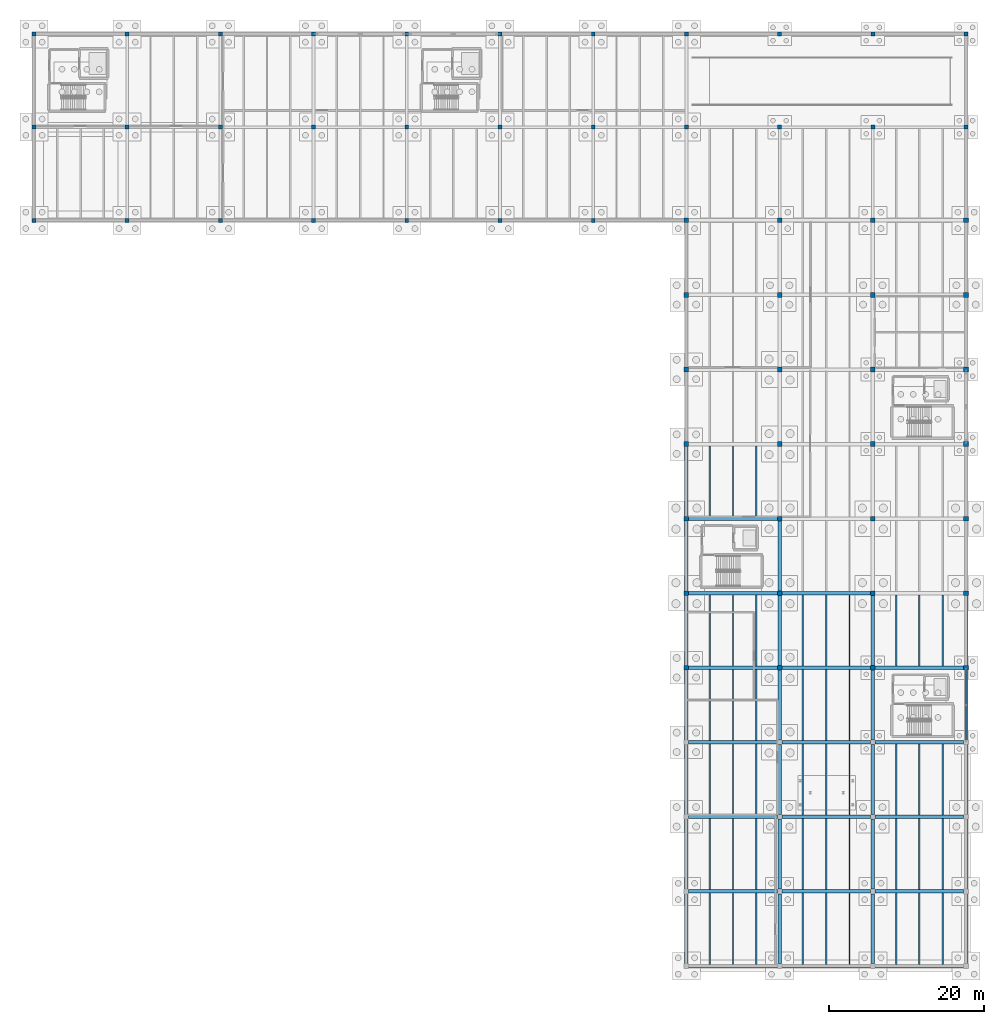
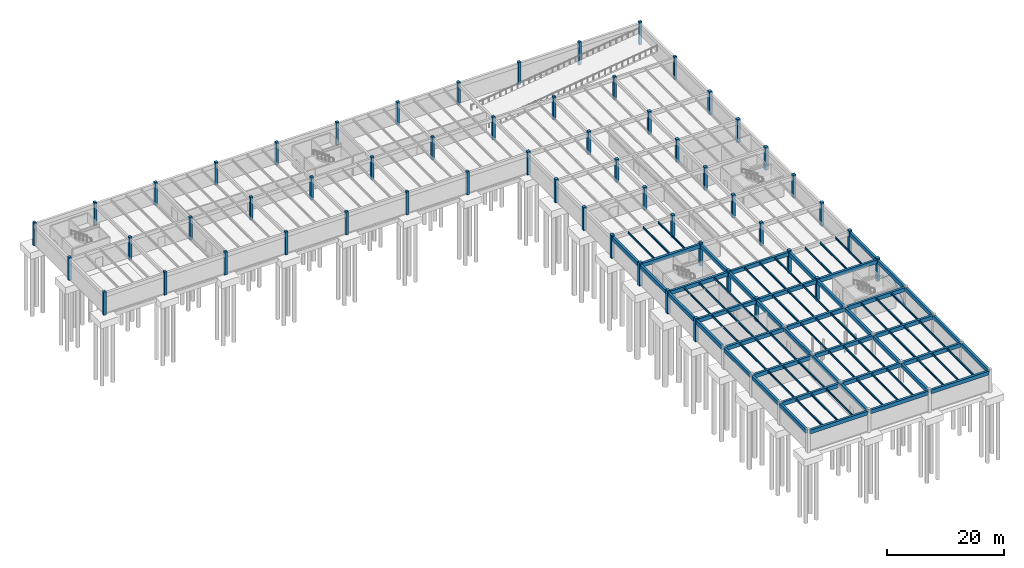
# One storey, part 5 of 20: 86 beams, 57 columns, 2 members.
"""IFC4 building model written with IfcOpenShell, lengths in metres."""

from ifc_helpers import new_model, si_unit, direction, frame, origin, origin_2d, place, context, subcontext, project, spatial, rectangle, hollow_rectangle, i_section, extrude, material, material_profile, profile_set, type_object, element, save


model = new_model("IFC4")

# Units and contexts
model_context = context("Model", 3, precision=1e-05, world=origin(), true_north=direction((0.0, 1.0)))
body_context = subcontext(model_context, "Body", "Model", "MODEL_VIEW")
ifc_project = project(units=[si_unit("LENGTHUNIT", "METRE"), si_unit("AREAUNIT", "SQUARE_METRE"), si_unit("VOLUMEUNIT", "CUBIC_METRE"), si_unit("PLANEANGLEUNIT", "RADIAN"), si_unit("MASSUNIT", "GRAM", prefix="KILO")], contexts=[model_context])

# Site, building, storey
site_placement = place(None, origin())
site = spatial("IfcSite", under=ifc_project, at=site_placement, CompositionType="ELEMENT")
building_placement = place(site_placement, origin())
building = spatial("IfcBuilding", under=site, at=building_placement, Name="Pandanus Reach Market Hall", CompositionType="ELEMENT")
storey_placement = place(building_placement, frame((0.0, 0.0, -4.5)))
storey = spatial("IfcBuildingStorey", under=building, at=storey_placement, Name="B1", CompositionType="ELEMENT", Elevation=-4.5)

# Columns
ifc_material_1 = material(Name="Concrete N40 (40 MPa)", Category="concrete")
ifc_material_profile_1 = material_profile(ifc_material_1, rectangle(XDim=0.5, YDim=0.5, at=origin_2d()), Name="RC500x500", Category="LoadBearing")
ifc_profile_set_1 = profile_set([ifc_material_profile_1], Name="Concrete N40 (40 MPa)")
column_type_1 = type_object("IfcColumnType", Name="CL-RC500-E", PredefinedType="COLUMN", material=ifc_profile_set_1)
for number, where, z_axis, x_axis, name in (
    (1, (60.0, 96.0, -0.35009765625), (0.0, 0.0, 1.0), (1.0, 0.0, 0.0), "Column CL-RC500-E V5-60-960 B1"),
    (2, (60.0, 108.0, -0.35009765625), (0.0, 0.0, 1.0), (1.0, 0.0, 0.0), "Column CL-RC500-E V5-60-1080 B1"),
    (3, (60.0, 120.0, -0.35009765625), (0.0, 0.0, 1.0), (1.0, 0.0, 0.0), "Column CL-RC500-E V5-60-1200 B1"),
    (4, (72.0, 96.0, -0.35009765625), (0.0, 0.0, 1.0), (1.0, 0.0, 0.0), "Column CL-RC500-E V5-72-960 B1"),
    (5, (72.0, 120.0, -0.35009765625), (0.0, 0.0, 1.0), (1.0, 0.0, 0.0), "Column CL-RC500-E V5-72-1200 B1"),
    (6, (84.0, 96.0, -0.35009765625), (0.0, 0.0, 1.0), (1.0, 0.0, 0.0), "Column CL-RC500-E V5-84-960 B1"),
    (7, (84.0, 120.0, -0.35009765625), (0.0, 0.0, 1.0), (1.0, 0.0, 0.0), "Column CL-RC500-E V5-84-1200 B1"),
    (8, (96.0, 96.0, -0.35009765625), (0.0, 0.0, 1.0), (1.0, 0.0, 0.0), "Column CL-RC500-E V5-96-960 B1"),
    (9, (96.0, 120.0, -0.35009765625), (0.0, 0.0, 1.0), (1.0, 0.0, 0.0), "Column CL-RC500-E V5-96-1200 B1"),
    (10, (108.0, 96.0, -0.35009765625), (0.0, 0.0, 1.0), (1.0, 0.0, 0.0), "Column CL-RC500-E V5-108-960 B1"),
    (11, (108.0, 120.0, -0.35009765625), (0.0, 0.0, 1.0), (1.0, 0.0, 0.0), "Column CL-RC500-E V5-108-1200 B1"),
    (12, (120.0, 96.0, -0.35009765625), (0.0, 0.0, 1.0), (1.0, 0.0, 0.0), "Column CL-RC500-E V5-120-960 B1"),
    (13, (120.0, 120.0, -0.35009765625), (0.0, 0.0, 1.0), (1.0, 0.0, 0.0), "Column CL-RC500-E V5-120-1200 B1"),
    (14, (132.0, 96.0, -0.35009765625), (0.0, 0.0, 1.0), (1.0, 0.0, 0.0), "Column CL-RC500-E V5-132-960 B1"),
    (15, (132.0, 120.0, -0.35009765625), (0.0, 0.0, 1.0), (1.0, 0.0, 0.0), "Column CL-RC500-E V5-132-1200 B1"),
    (16, (144.0, 120.0, -0.35009765625), (0.0, 0.0, 1.0), (1.0, 0.0, 0.0), "Column CL-RC500-E V5-144-1200 B1"),
    (17, (156.0, 120.0, -0.35009765625), (0.0, 0.0, 1.0), (1.0, 0.0, 0.0), "Column CL-RC500-E V5-156-1200 B1"),
    (18, (168.0, 120.0, -0.35009765625), (0.0, 0.0, 1.0), (1.0, 0.0, 0.0), "Column CL-RC500-E V5-168-1200 B1"),
    (19, (180.0, 108.0, -0.35009765625), (0.0, 0.0, 1.0), (1.0, 0.0, 0.0), "Column CL-RC500-E V5-180-1080 B1"),
    (20, (180.0, 120.0, -0.35009765625), (0.0, 0.0, 1.0), (1.0, 0.0, 0.0), "Column CL-RC500-E V5-180-1200 B1"),
):
    element("IfcColumn", number, at=place(storey_placement, frame(where, z_axis=z_axis, x_axis=x_axis)), inside=storey, type_object=column_type_1, Name=name, PredefinedType="COLUMN", context=body_context, shape_type="SweptSolid", body=[
        extrude(rectangle(XDim=0.5, YDim=0.5, at=origin_2d()), origin(), (0.0, 0.0, 1.0), 4.85009765625),
    ])
ifc_material_profile_2 = material_profile(ifc_material_1, rectangle(XDim=0.5, YDim=0.5, at=origin_2d()), Name="RC500x500", Category="LoadBearing")
ifc_profile_set_2 = profile_set([ifc_material_profile_2], Name="Concrete N40 (40 MPa)")
column_type_2 = type_object("IfcColumnType", Name="CL-RC500-I", PredefinedType="COLUMN", material=ifc_profile_set_2)
for number, where, z_axis, x_axis, name in (
    (21, (72.0, 108.0, -0.35009765625), (0.0, 0.0, 1.0), (1.0, 0.0, 0.0), "Column CL-RC500-I V5-72-1080 B1"),
    (22, (84.0, 108.0, -0.35009765625), (0.0, 0.0, 1.0), (1.0, 0.0, 0.0), "Column CL-RC500-I V5-84-1080 B1"),
    (23, (96.0, 108.0, -0.35009765625), (0.0, 0.0, 1.0), (1.0, 0.0, 0.0), "Column CL-RC500-I V5-96-1080 B1"),
    (24, (108.0, 108.0, -0.35009765625), (0.0, 0.0, 1.0), (1.0, 0.0, 0.0), "Column CL-RC500-I V5-108-1080 B1"),
    (25, (120.0, 108.0, -0.35009765625), (0.0, 0.0, 1.0), (1.0, 0.0, 0.0), "Column CL-RC500-I V5-120-1080 B1"),
    (26, (132.0, 108.0, -0.35009765625), (0.0, 0.0, 1.0), (1.0, 0.0, 0.0), "Column CL-RC500-I V5-132-1080 B1"),
    (27, (144.0, 108.0, -0.35009765625), (0.0, 0.0, 1.0), (1.0, 0.0, 0.0), "Column CL-RC500-I V5-144-1080 B1"),
    (28, (156.0, 108.0, -0.35009765625), (0.0, 0.0, 1.0), (1.0, 0.0, 0.0), "Column CL-RC500-I V5-156-1080 B1"),
    (29, (168.0, 108.0, -0.35009765625), (0.0, 0.0, 1.0), (1.0, 0.0, 0.0), "Column CL-RC500-I V5-168-1080 B1"),
):
    element("IfcColumn", number, at=place(storey_placement, frame(where, z_axis=z_axis, x_axis=x_axis)), inside=storey, type_object=column_type_2, Name=name, PredefinedType="COLUMN", context=body_context, shape_type="SweptSolid", body=[
        extrude(rectangle(XDim=0.5, YDim=0.5, at=origin_2d()), origin(), (0.0, 0.0, 1.0), 4.85009765625),
    ])
ifc_material_profile_3 = material_profile(ifc_material_1, rectangle(XDim=0.60009765625, YDim=0.60009765625, at=origin_2d()), Name="RC600x600", Category="LoadBearing")
ifc_profile_set_3 = profile_set([ifc_material_profile_3], Name="Concrete N40 (40 MPa)")
column_type_3 = type_object("IfcColumnType", Name="CL-RC600-E", PredefinedType="COLUMN", material=ifc_profile_set_3)
for number, where, z_axis, x_axis, name in (
    (30, (144.0, 38.39990234375, -0.35009765625), (0.0, 0.0, 1.0), (1.0, 0.0, 0.0), "Column CL-RC600-E V4-144-384 B1"),
    (31, (144.0, 48.0, -0.35009765625), (0.0, 0.0, 1.0), (1.0, 0.0, 0.0), "Column CL-RC600-E V4-144-480 B1"),
    (32, (144.0, 57.60009765625, -0.35009765625), (0.0, 0.0, 1.0), (1.0, 0.0, 0.0), "Column CL-RC600-E V4-144-576 B1"),
    (33, (144.0, 67.199951171875, -0.35009765625), (0.0, 0.0, 1.0), (1.0, 0.0, 0.0), "Column CL-RC600-E V4-144-672 B1"),
    (34, (144.0, 76.800048828125, -0.35009765625), (0.0, 0.0, 1.0), (1.0, 0.0, 0.0), "Column CL-RC600-E V4-144-768 B1"),
    (35, (144.0, 86.39990234375, -0.35009765625), (0.0, 0.0, 1.0), (1.0, 0.0, 0.0), "Column CL-RC600-E V4-144-864 B1"),
    (36, (144.0, 96.0, -0.35009765625), (0.0, 0.0, 1.0), (1.0, 0.0, 0.0), "Column CL-RC600-E V4-144-960 B1"),
    (37, (156.0, 96.0, -0.35009765625), (0.0, 0.0, 1.0), (1.0, 0.0, 0.0), "Column CL-RC600-E V4-156-960 B1"),
    (38, (168.0, 96.0, -0.35009765625), (0.0, 0.0, 1.0), (1.0, 0.0, 0.0), "Column CL-RC600-E V4-168-960 B1"),
    (39, (180.0, 38.39990234375, -0.35009765625), (0.0, 0.0, 1.0), (1.0, 0.0, 0.0), "Column CL-RC600-E V4-180-384 B1"),
    (40, (180.0, 48.0, -0.35009765625), (0.0, 0.0, 1.0), (1.0, 0.0, 0.0), "Column CL-RC600-E V4-180-480 B1"),
    (41, (180.0, 57.60009765625, -0.35009765625), (0.0, 0.0, 1.0), (1.0, 0.0, 0.0), "Column CL-RC600-E V4-180-576 B1"),
    (42, (180.0, 67.199951171875, -0.35009765625), (0.0, 0.0, 1.0), (1.0, 0.0, 0.0), "Column CL-RC600-E V4-180-672 B1"),
    (43, (180.0, 76.800048828125, -0.35009765625), (0.0, 0.0, 1.0), (1.0, 0.0, 0.0), "Column CL-RC600-E V4-180-768 B1"),
    (44, (180.0, 86.39990234375, -0.35009765625), (0.0, 0.0, 1.0), (1.0, 0.0, 0.0), "Column CL-RC600-E V4-180-864 B1"),
    (45, (180.0, 96.0, -0.35009765625), (0.0, 0.0, 1.0), (1.0, 0.0, 0.0), "Column CL-RC600-E V4-180-960 B1"),
):
    element("IfcColumn", number, at=place(storey_placement, frame(where, z_axis=z_axis, x_axis=x_axis)), inside=storey, type_object=column_type_3, Name=name, PredefinedType="COLUMN", context=body_context, shape_type="SweptSolid", body=[
        extrude(rectangle(XDim=0.60009765625, YDim=0.60009765625, at=origin_2d()), origin(), (0.0, 0.0, 1.0), 4.85009765625),
    ])
ifc_material_profile_4 = material_profile(ifc_material_1, rectangle(XDim=0.60009765625, YDim=0.60009765625, at=origin_2d()), Name="RC600x600", Category="LoadBearing")
ifc_profile_set_4 = profile_set([ifc_material_profile_4], Name="Concrete N40 (40 MPa)")
column_type_4 = type_object("IfcColumnType", Name="CL-RC600-I", PredefinedType="COLUMN", material=ifc_profile_set_4)
for number, where, z_axis, x_axis, name in (
    (46, (156.0, 38.39990234375, -0.35009765625), (0.0, 0.0, 1.0), (1.0, 0.0, 0.0), "Column CL-RC600-I V4-156-384 B1"),
    (47, (156.0, 48.0, -0.35009765625), (0.0, 0.0, 1.0), (1.0, 0.0, 0.0), "Column CL-RC600-I V4-156-480 B1"),
    (48, (156.0, 57.60009765625, -0.35009765625), (0.0, 0.0, 1.0), (1.0, 0.0, 0.0), "Column CL-RC600-I V4-156-576 B1"),
    (49, (156.0, 67.199951171875, -0.35009765625), (0.0, 0.0, 1.0), (1.0, 0.0, 0.0), "Column CL-RC600-I V4-156-672 B1"),
    (50, (156.0, 76.800048828125, -0.35009765625), (0.0, 0.0, 1.0), (1.0, 0.0, 0.0), "Column CL-RC600-I V4-156-768 B1"),
    (51, (156.0, 86.39990234375, -0.35009765625), (0.0, 0.0, 1.0), (1.0, 0.0, 0.0), "Column CL-RC600-I V4-156-864 B1"),
    (52, (168.0, 38.39990234375, -0.35009765625), (0.0, 0.0, 1.0), (1.0, 0.0, 0.0), "Column CL-RC600-I V4-168-384 B1"),
    (53, (168.0, 48.0, -0.35009765625), (0.0, 0.0, 1.0), (1.0, 0.0, 0.0), "Column CL-RC600-I V4-168-480 B1"),
    (54, (168.0, 57.60009765625, -0.35009765625), (0.0, 0.0, 1.0), (1.0, 0.0, 0.0), "Column CL-RC600-I V4-168-576 B1"),
    (55, (168.0, 67.199951171875, -0.35009765625), (0.0, 0.0, 1.0), (1.0, 0.0, 0.0), "Column CL-RC600-I V4-168-672 B1"),
    (56, (168.0, 76.800048828125, -0.35009765625), (0.0, 0.0, 1.0), (1.0, 0.0, 0.0), "Column CL-RC600-I V4-168-768 B1"),
    (57, (168.0, 86.39990234375, -0.35009765625), (0.0, 0.0, 1.0), (1.0, 0.0, 0.0), "Column CL-RC600-I V4-168-864 B1"),
):
    element("IfcColumn", number, at=place(storey_placement, frame(where, z_axis=z_axis, x_axis=x_axis)), inside=storey, type_object=column_type_4, Name=name, PredefinedType="COLUMN", context=body_context, shape_type="SweptSolid", body=[
        extrude(rectangle(XDim=0.60009765625, YDim=0.60009765625, at=origin_2d()), origin(), (0.0, 0.0, 1.0), 4.85009765625),
    ])

# Beams
ifc_material_profile_5 = material_profile(ifc_material_1, rectangle(XDim=0.449951171875, YDim=0.800048828125, at=origin_2d()), Name="RC450x800", Category="LoadBearing")
ifc_profile_set_5 = profile_set([ifc_material_profile_5], Name="Concrete N40 (40 MPa)")
beam_type_1 = type_object("IfcBeamType", Name="BM-RC450-E", PredefinedType="SPANDREL", material=ifc_profile_set_5)
for number, where, z_axis, x_axis, name in (
    (58, (144.298095703125, 0.0, 3.794921875), (1.0, 0.0, 0.0), (0.0, 1.0, 0.0), "Framing beam BM-RC450-E B1.1"),
    (59, (156.298095703125, 0.0, 3.794921875), (1.0, 0.0, 0.0), (0.0, 1.0, 0.0), "Framing beam BM-RC450-E B1.2"),
    (60, (168.298095703125, 0.0, 3.794921875), (1.0, 0.0, 0.0), (0.0, 1.0, 0.0), "Framing beam BM-RC450-E B1.3"),
):
    element("IfcBeam", number, at=place(storey_placement, frame(where, z_axis=z_axis, x_axis=x_axis)), inside=storey, type_object=beam_type_1, Name=name, PredefinedType="SPANDREL", context=body_context, shape_type="SweptSolid", body=[
        extrude(rectangle(XDim=0.449951171875, YDim=0.800048828125, at=origin_2d()), origin(), (0.0, 0.0, 1.0), 11.40380859375),
    ])
beam_1_placement = place(storey_placement, frame((144.0, 0.298095703125, 3.794921875), z_axis=(0.0, 1.0, 0.0), x_axis=(-1.0, 0.0, 0.0)))
element("IfcBeam", 61, at=beam_1_placement, inside=storey, type_object=beam_type_1, Name="Framing beam BM-RC450-E B1.34", PredefinedType="SPANDREL", context=body_context, shape_type="SweptSolid", body=[
    extrude(rectangle(XDim=0.449951171875, YDim=0.800048828125, at=origin_2d()), origin(), (0.0, 0.0, 1.0), 9.00390625),
])
beam_2_placement = place(storey_placement, frame((144.0, 9.89794921875, 3.794921875), z_axis=(0.0, 1.0, 0.0), x_axis=(-1.0, 0.0, 0.0)))
element("IfcBeam", 62, at=beam_2_placement, inside=storey, type_object=beam_type_1, Name="Framing beam BM-RC450-E B1.35", PredefinedType="SPANDREL", context=body_context, shape_type="SweptSolid", body=[
    extrude(rectangle(XDim=0.449951171875, YDim=0.800048828125, at=origin_2d()), origin(), (0.0, 0.0, 1.0), 9.004150390625),
])
beam_3_placement = place(storey_placement, frame((144.0, 19.498046875, 3.794921875), z_axis=(0.0, 1.0, 0.0), x_axis=(-1.0, 0.0, 0.0)))
element("IfcBeam", 63, at=beam_3_placement, inside=storey, type_object=beam_type_1, Name="Framing beam BM-RC450-E B1.36", PredefinedType="SPANDREL", context=body_context, shape_type="SweptSolid", body=[
    extrude(rectangle(XDim=0.449951171875, YDim=0.800048828125, at=origin_2d()), origin(), (0.0, 0.0, 1.0), 9.00390625),
])
beam_4_placement = place(storey_placement, frame((144.0, 29.097900390625, 3.794921875), z_axis=(0.0, 1.0, 0.0), x_axis=(-1.0, 0.0, 0.0)))
element("IfcBeam", 64, at=beam_4_placement, inside=storey, type_object=beam_type_1, Name="Framing beam BM-RC450-E B1.37", PredefinedType="SPANDREL", context=body_context, shape_type="SweptSolid", body=[
    extrude(rectangle(XDim=0.449951171875, YDim=0.800048828125, at=origin_2d()), origin(), (0.0, 0.0, 1.0), 9.004150390625),
])
for number, where, z_axis, x_axis, name in (
    (65, (144.0, 38.697998046875, 3.794921875), (0.0, 1.0, 0.0), (-1.0, 0.0, 0.0), "Framing beam BM-RC450-E B1.38"),
    (66, (144.0, 48.298095703125, 3.794921875), (0.0, 1.0, 0.0), (-1.0, 0.0, 0.0), "Framing beam BM-RC450-E B1.39"),
):
    element("IfcBeam", number, at=place(storey_placement, frame(where, z_axis=z_axis, x_axis=x_axis)), inside=storey, type_object=beam_type_1, Name=name, PredefinedType="SPANDREL", context=body_context, shape_type="SweptSolid", body=[
        extrude(rectangle(XDim=0.449951171875, YDim=0.800048828125, at=origin_2d()), origin(), (0.0, 0.0, 1.0), 9.00390625),
    ])
beam_5_placement = place(storey_placement, frame((144.0, 57.89794921875, 3.794921875), z_axis=(0.0, 1.0, 0.0), x_axis=(-1.0, 0.0, 0.0)))
element("IfcBeam", 67, at=beam_5_placement, inside=storey, type_object=beam_type_1, Name="Framing beam BM-RC450-E B1.40", PredefinedType="SPANDREL", context=body_context, shape_type="SweptSolid", body=[
    extrude(rectangle(XDim=0.449951171875, YDim=0.800048828125, at=origin_2d()), origin(), (0.0, 0.0, 1.0), 9.004150390625),
])
beam_6_placement = place(storey_placement, frame((180.0, 0.298095703125, 3.794921875), z_axis=(0.0, 1.0, 0.0), x_axis=(-1.0, 0.0, 0.0)))
element("IfcBeam", 68, at=beam_6_placement, inside=storey, type_object=beam_type_1, Name="Framing beam BM-RC450-E B1.64", PredefinedType="SPANDREL", context=body_context, shape_type="SweptSolid", body=[
    extrude(rectangle(XDim=0.449951171875, YDim=0.800048828125, at=origin_2d()), origin(), (0.0, 0.0, 1.0), 9.00390625),
])
beam_7_placement = place(storey_placement, frame((180.0, 9.89794921875, 3.794921875), z_axis=(0.0, 1.0, 0.0), x_axis=(-1.0, 0.0, 0.0)))
element("IfcBeam", 69, at=beam_7_placement, inside=storey, type_object=beam_type_1, Name="Framing beam BM-RC450-E B1.65", PredefinedType="SPANDREL", context=body_context, shape_type="SweptSolid", body=[
    extrude(rectangle(XDim=0.449951171875, YDim=0.800048828125, at=origin_2d()), origin(), (0.0, 0.0, 1.0), 9.004150390625),
])
beam_8_placement = place(storey_placement, frame((180.0, 19.498046875, 3.794921875), z_axis=(0.0, 1.0, 0.0), x_axis=(-1.0, 0.0, 0.0)))
element("IfcBeam", 70, at=beam_8_placement, inside=storey, type_object=beam_type_1, Name="Framing beam BM-RC450-E B1.66", PredefinedType="SPANDREL", context=body_context, shape_type="SweptSolid", body=[
    extrude(rectangle(XDim=0.449951171875, YDim=0.800048828125, at=origin_2d()), origin(), (0.0, 0.0, 1.0), 9.00390625),
])
beam_9_placement = place(storey_placement, frame((180.0, 29.097900390625, 3.794921875), z_axis=(0.0, 1.0, 0.0), x_axis=(-1.0, 0.0, 0.0)))
element("IfcBeam", 71, at=beam_9_placement, inside=storey, type_object=beam_type_1, Name="Framing beam BM-RC450-E B1.67", PredefinedType="SPANDREL", context=body_context, shape_type="SweptSolid", body=[
    extrude(rectangle(XDim=0.449951171875, YDim=0.800048828125, at=origin_2d()), origin(), (0.0, 0.0, 1.0), 9.004150390625),
])
beam_10_placement = place(storey_placement, frame((180.0, 38.697998046875, 3.794921875), z_axis=(0.0, 1.0, 0.0), x_axis=(-1.0, 0.0, 0.0)))
element("IfcBeam", 72, at=beam_10_placement, inside=storey, type_object=beam_type_1, Name="Framing beam BM-RC450-E B1.68", PredefinedType="SPANDREL", context=body_context, shape_type="SweptSolid", body=[
    extrude(rectangle(XDim=0.449951171875, YDim=0.800048828125, at=origin_2d()), origin(), (0.0, 0.0, 1.0), 9.00390625),
])
ifc_material_profile_6 = material_profile(ifc_material_1, rectangle(XDim=0.449951171875, YDim=0.800048828125, at=origin_2d()), Name="RC450x800", Category="LoadBearing")
ifc_profile_set_6 = profile_set([ifc_material_profile_6], Name="Concrete N40 (40 MPa)")
beam_type_2 = type_object("IfcBeamType", Name="BM-RC450-I", PredefinedType="BEAM", material=ifc_profile_set_6)
for number, where, z_axis, x_axis, name in (
    (73, (144.298095703125, 9.60009765625, 3.794921875), (1.0, 0.0, 0.0), (0.0, 1.0, 0.0), "Framing beam BM-RC450-I B1.4"),
    (74, (156.298095703125, 9.60009765625, 3.794921875), (1.0, 0.0, 0.0), (0.0, 1.0, 0.0), "Framing beam BM-RC450-I B1.5"),
    (75, (168.298095703125, 9.60009765625, 3.794921875), (1.0, 0.0, 0.0), (0.0, 1.0, 0.0), "Framing beam BM-RC450-I B1.6"),
    (76, (144.298095703125, 19.199951171875, 3.794921875), (1.0, 0.0, 0.0), (0.0, 1.0, 0.0), "Framing beam BM-RC450-I B1.7"),
    (77, (156.298095703125, 19.199951171875, 3.794921875), (1.0, 0.0, 0.0), (0.0, 1.0, 0.0), "Framing beam BM-RC450-I B1.8"),
    (78, (168.298095703125, 19.199951171875, 3.794921875), (1.0, 0.0, 0.0), (0.0, 1.0, 0.0), "Framing beam BM-RC450-I B1.9"),
    (79, (144.298095703125, 28.800048828125, 3.794921875), (1.0, 0.0, 0.0), (0.0, 1.0, 0.0), "Framing beam BM-RC450-I B1.10"),
    (80, (156.298095703125, 28.800048828125, 3.794921875), (1.0, 0.0, 0.0), (0.0, 1.0, 0.0), "Framing beam BM-RC450-I B1.11"),
    (81, (168.298095703125, 28.800048828125, 3.794921875), (1.0, 0.0, 0.0), (0.0, 1.0, 0.0), "Framing beam BM-RC450-I B1.12"),
    (82, (144.298095703125, 38.39990234375, 3.794921875), (1.0, 0.0, 0.0), (0.0, 1.0, 0.0), "Framing beam BM-RC450-I B1.13"),
    (83, (156.298095703125, 38.39990234375, 3.794921875), (1.0, 0.0, 0.0), (0.0, 1.0, 0.0), "Framing beam BM-RC450-I B1.14"),
    (84, (168.298095703125, 38.39990234375, 3.794921875), (1.0, 0.0, 0.0), (0.0, 1.0, 0.0), "Framing beam BM-RC450-I B1.15"),
    (85, (144.298095703125, 48.0, 3.794921875), (1.0, 0.0, 0.0), (0.0, 1.0, 0.0), "Framing beam BM-RC450-I B1.16"),
    (86, (156.298095703125, 48.0, 3.794921875), (1.0, 0.0, 0.0), (0.0, 1.0, 0.0), "Framing beam BM-RC450-I B1.17"),
    (87, (144.298095703125, 57.60009765625, 3.794921875), (1.0, 0.0, 0.0), (0.0, 1.0, 0.0), "Framing beam BM-RC450-I B1.19"),
):
    element("IfcBeam", number, at=place(storey_placement, frame(where, z_axis=z_axis, x_axis=x_axis)), inside=storey, type_object=beam_type_2, Name=name, PredefinedType="BEAM", context=body_context, shape_type="SweptSolid", body=[
        extrude(rectangle(XDim=0.449951171875, YDim=0.800048828125, at=origin_2d()), origin(), (0.0, 0.0, 1.0), 11.40380859375),
    ])
beam_11_placement = place(storey_placement, frame((156.0, 0.298095703125, 3.794921875), z_axis=(0.0, 1.0, 0.0), x_axis=(-1.0, 0.0, 0.0)))
element("IfcBeam", 88, at=beam_11_placement, inside=storey, type_object=beam_type_2, Name="Framing beam BM-RC450-I B1.44", PredefinedType="BEAM", context=body_context, shape_type="SweptSolid", body=[
    extrude(rectangle(XDim=0.449951171875, YDim=0.800048828125, at=origin_2d()), origin(), (0.0, 0.0, 1.0), 9.00390625),
])
beam_12_placement = place(storey_placement, frame((156.0, 9.89794921875, 3.794921875), z_axis=(0.0, 1.0, 0.0), x_axis=(-1.0, 0.0, 0.0)))
element("IfcBeam", 89, at=beam_12_placement, inside=storey, type_object=beam_type_2, Name="Framing beam BM-RC450-I B1.45", PredefinedType="BEAM", context=body_context, shape_type="SweptSolid", body=[
    extrude(rectangle(XDim=0.449951171875, YDim=0.800048828125, at=origin_2d()), origin(), (0.0, 0.0, 1.0), 9.004150390625),
])
beam_13_placement = place(storey_placement, frame((156.0, 19.498046875, 3.794921875), z_axis=(0.0, 1.0, 0.0), x_axis=(-1.0, 0.0, 0.0)))
element("IfcBeam", 90, at=beam_13_placement, inside=storey, type_object=beam_type_2, Name="Framing beam BM-RC450-I B1.46", PredefinedType="BEAM", context=body_context, shape_type="SweptSolid", body=[
    extrude(rectangle(XDim=0.449951171875, YDim=0.800048828125, at=origin_2d()), origin(), (0.0, 0.0, 1.0), 9.00390625),
])
beam_14_placement = place(storey_placement, frame((156.0, 29.097900390625, 3.794921875), z_axis=(0.0, 1.0, 0.0), x_axis=(-1.0, 0.0, 0.0)))
element("IfcBeam", 91, at=beam_14_placement, inside=storey, type_object=beam_type_2, Name="Framing beam BM-RC450-I B1.47", PredefinedType="BEAM", context=body_context, shape_type="SweptSolid", body=[
    extrude(rectangle(XDim=0.449951171875, YDim=0.800048828125, at=origin_2d()), origin(), (0.0, 0.0, 1.0), 9.004150390625),
])
for number, where, z_axis, x_axis, name in (
    (92, (156.0, 38.697998046875, 3.794921875), (0.0, 1.0, 0.0), (-1.0, 0.0, 0.0), "Framing beam BM-RC450-I B1.48"),
    (93, (156.0, 48.298095703125, 3.794921875), (0.0, 1.0, 0.0), (-1.0, 0.0, 0.0), "Framing beam BM-RC450-I B1.49"),
    (94, (168.0, 0.298095703125, 3.794921875), (0.0, 1.0, 0.0), (-1.0, 0.0, 0.0), "Framing beam BM-RC450-I B1.54"),
):
    element("IfcBeam", number, at=place(storey_placement, frame(where, z_axis=z_axis, x_axis=x_axis)), inside=storey, type_object=beam_type_2, Name=name, PredefinedType="BEAM", context=body_context, shape_type="SweptSolid", body=[
        extrude(rectangle(XDim=0.449951171875, YDim=0.800048828125, at=origin_2d()), origin(), (0.0, 0.0, 1.0), 9.00390625),
    ])
beam_15_placement = place(storey_placement, frame((168.0, 9.89794921875, 3.794921875), z_axis=(0.0, 1.0, 0.0), x_axis=(-1.0, 0.0, 0.0)))
element("IfcBeam", 95, at=beam_15_placement, inside=storey, type_object=beam_type_2, Name="Framing beam BM-RC450-I B1.55", PredefinedType="BEAM", context=body_context, shape_type="SweptSolid", body=[
    extrude(rectangle(XDim=0.449951171875, YDim=0.800048828125, at=origin_2d()), origin(), (0.0, 0.0, 1.0), 9.004150390625),
])
beam_16_placement = place(storey_placement, frame((168.0, 19.498046875, 3.794921875), z_axis=(0.0, 1.0, 0.0), x_axis=(-1.0, 0.0, 0.0)))
element("IfcBeam", 96, at=beam_16_placement, inside=storey, type_object=beam_type_2, Name="Framing beam BM-RC450-I B1.56", PredefinedType="BEAM", context=body_context, shape_type="SweptSolid", body=[
    extrude(rectangle(XDim=0.449951171875, YDim=0.800048828125, at=origin_2d()), origin(), (0.0, 0.0, 1.0), 9.00390625),
])
beam_17_placement = place(storey_placement, frame((168.0, 29.097900390625, 3.794921875), z_axis=(0.0, 1.0, 0.0), x_axis=(-1.0, 0.0, 0.0)))
element("IfcBeam", 97, at=beam_17_placement, inside=storey, type_object=beam_type_2, Name="Framing beam BM-RC450-I B1.57", PredefinedType="BEAM", context=body_context, shape_type="SweptSolid", body=[
    extrude(rectangle(XDim=0.449951171875, YDim=0.800048828125, at=origin_2d()), origin(), (0.0, 0.0, 1.0), 9.004150390625),
])
beam_18_placement = place(storey_placement, frame((168.0, 38.697998046875, 3.794921875), z_axis=(0.0, 1.0, 0.0), x_axis=(-1.0, 0.0, 0.0)))
element("IfcBeam", 98, at=beam_18_placement, inside=storey, type_object=beam_type_2, Name="Framing beam BM-RC450-I B1.58", PredefinedType="BEAM", context=body_context, shape_type="SweptSolid", body=[
    extrude(rectangle(XDim=0.449951171875, YDim=0.800048828125, at=origin_2d()), origin(), (0.0, 0.0, 1.0), 9.00390625),
])

# Members
ifc_material_2 = material(Name="Steel Grade 350 (350 MPa)", Category="steel")
ifc_material_profile_7 = material_profile(ifc_material_2, hollow_rectangle(XDim=0.199951171875, YDim=0.199951171875, WallThickness=0.009033203125, at=origin_2d()), Name="200x200x9.0SHS", Category="LoadBearing")
ifc_profile_set_7 = profile_set([ifc_material_profile_7], Name="Steel Grade 350 (350 MPa)")
member_type = type_object("IfcMemberType", Name="BR-SHS200-I", PredefinedType="BRACE", material=ifc_profile_set_7)
for number, where, z_axis, x_axis, name in (
    (99, (180.0, 29.090087890625, 0.10009765625), (0.0, 0.76677634942, 0.641914347846), (-1.0, 0.0, 0.0), "Chevron brace BR-SHS200-I 3A"),
    (100, (180.0, 38.110107421875, 0.10009765625), (0.0, -0.766794041081, 0.641893214299), (1.0, 0.0, 0.0), "Chevron brace BR-SHS200-I 3B"),
):
    element("IfcMember", number, at=place(storey_placement, frame(where, z_axis=z_axis, x_axis=x_axis)), inside=storey, type_object=member_type, Name=name, PredefinedType="BRACE", context=body_context, shape_type="SweptSolid", body=[
        extrude(hollow_rectangle(XDim=0.199951171875, YDim=0.199951171875, WallThickness=0.009033203125, at=origin_2d()), origin(), (0.0, 0.0, 1.0), 5.68603515625),
    ])

# Beams
ifc_material_profile_8 = material_profile(ifc_material_2, i_section(OverallWidth=0.177978515625, OverallDepth=0.406005859375, WebThickness=0.0078125, FlangeThickness=0.0126953125, at=origin_2d()), Name="410UB59.7", Category="LoadBearing")
ifc_profile_set_8 = profile_set([ifc_material_profile_8], Name="Steel Grade 350 (350 MPa)")
beam_type_3 = type_object("IfcBeamType", Name="JS-UB410-I", PredefinedType="JOIST", material=ifc_profile_set_8)
for number, where, z_axis, x_axis, name in (
    (101, (147.0, 0.222900390625, 3.99169921875), (0.0, 1.0, 0.0), (-1.0, 0.0, 0.0), "Secondary joist JS-UB410-I B1.74"),
    (102, (150.0, 0.222900390625, 3.99169921875), (0.0, 1.0, 0.0), (-1.0, 0.0, 0.0), "Secondary joist JS-UB410-I B1.75"),
    (103, (153.0, 0.222900390625, 3.99169921875), (0.0, 1.0, 0.0), (-1.0, 0.0, 0.0), "Secondary joist JS-UB410-I B1.76"),
    (104, (147.0, 9.822998046875, 3.99169921875), (0.0, 1.0, 0.0), (-1.0, 0.0, 0.0), "Secondary joist JS-UB410-I B1.77"),
    (105, (150.0, 9.822998046875, 3.99169921875), (0.0, 1.0, 0.0), (-1.0, 0.0, 0.0), "Secondary joist JS-UB410-I B1.78"),
    (106, (153.0, 9.822998046875, 3.99169921875), (0.0, 1.0, 0.0), (-1.0, 0.0, 0.0), "Secondary joist JS-UB410-I B1.79"),
):
    element("IfcBeam", number, at=place(storey_placement, frame(where, z_axis=z_axis, x_axis=x_axis)), inside=storey, type_object=beam_type_3, Name=name, PredefinedType="JOIST", context=body_context, shape_type="SweptSolid", body=[
        extrude(i_section(OverallWidth=0.177978515625, OverallDepth=0.406005859375, WebThickness=0.0078125, FlangeThickness=0.0126953125, at=origin_2d()), origin(), (0.0, 0.0, 1.0), 9.154052734375),
    ])
for number, where, z_axis, x_axis, name in (
    (107, (147.0, 19.423095703125, 3.99169921875), (0.0, 1.0, 0.0), (-1.0, 0.0, 0.0), "Secondary joist JS-UB410-I B1.80"),
    (108, (150.0, 19.423095703125, 3.99169921875), (0.0, 1.0, 0.0), (-1.0, 0.0, 0.0), "Secondary joist JS-UB410-I B1.81"),
    (109, (153.0, 19.423095703125, 3.99169921875), (0.0, 1.0, 0.0), (-1.0, 0.0, 0.0), "Secondary joist JS-UB410-I B1.82"),
):
    element("IfcBeam", number, at=place(storey_placement, frame(where, z_axis=z_axis, x_axis=x_axis)), inside=storey, type_object=beam_type_3, Name=name, PredefinedType="JOIST", context=body_context, shape_type="SweptSolid", body=[
        extrude(i_section(OverallWidth=0.177978515625, OverallDepth=0.406005859375, WebThickness=0.0078125, FlangeThickness=0.0126953125, at=origin_2d()), origin(), (0.0, 0.0, 1.0), 9.15380859375),
    ])
for number, where, z_axis, x_axis, name in (
    (110, (147.0, 29.02294921875, 3.99169921875), (0.0, 1.0, 0.0), (-1.0, 0.0, 0.0), "Secondary joist JS-UB410-I B1.83"),
    (111, (150.0, 29.02294921875, 3.99169921875), (0.0, 1.0, 0.0), (-1.0, 0.0, 0.0), "Secondary joist JS-UB410-I B1.84"),
    (112, (153.0, 29.02294921875, 3.99169921875), (0.0, 1.0, 0.0), (-1.0, 0.0, 0.0), "Secondary joist JS-UB410-I B1.85"),
    (113, (147.0, 38.623046875, 3.99169921875), (0.0, 1.0, 0.0), (-1.0, 0.0, 0.0), "Secondary joist JS-UB410-I B1.86"),
    (114, (150.0, 38.623046875, 3.99169921875), (0.0, 1.0, 0.0), (-1.0, 0.0, 0.0), "Secondary joist JS-UB410-I B1.87"),
    (115, (153.0, 38.623046875, 3.99169921875), (0.0, 1.0, 0.0), (-1.0, 0.0, 0.0), "Secondary joist JS-UB410-I B1.88"),
    (116, (147.0, 57.822998046875, 3.99169921875), (0.0, 1.0, 0.0), (-1.0, 0.0, 0.0), "Secondary joist JS-UB410-I B1.89"),
    (117, (150.0, 57.822998046875, 3.99169921875), (0.0, 1.0, 0.0), (-1.0, 0.0, 0.0), "Secondary joist JS-UB410-I B1.90"),
    (118, (153.0, 57.822998046875, 3.99169921875), (0.0, 1.0, 0.0), (-1.0, 0.0, 0.0), "Secondary joist JS-UB410-I B1.91"),
    (119, (159.0, 0.222900390625, 3.99169921875), (0.0, 1.0, 0.0), (-1.0, 0.0, 0.0), "Secondary joist JS-UB410-I B1.101"),
    (120, (162.0, 0.222900390625, 3.99169921875), (0.0, 1.0, 0.0), (-1.0, 0.0, 0.0), "Secondary joist JS-UB410-I B1.102"),
    (121, (165.0, 0.222900390625, 3.99169921875), (0.0, 1.0, 0.0), (-1.0, 0.0, 0.0), "Secondary joist JS-UB410-I B1.103"),
    (122, (159.0, 9.822998046875, 3.99169921875), (0.0, 1.0, 0.0), (-1.0, 0.0, 0.0), "Secondary joist JS-UB410-I B1.104"),
    (123, (162.0, 9.822998046875, 3.99169921875), (0.0, 1.0, 0.0), (-1.0, 0.0, 0.0), "Secondary joist JS-UB410-I B1.105"),
    (124, (165.0, 9.822998046875, 3.99169921875), (0.0, 1.0, 0.0), (-1.0, 0.0, 0.0), "Secondary joist JS-UB410-I B1.106"),
):
    element("IfcBeam", number, at=place(storey_placement, frame(where, z_axis=z_axis, x_axis=x_axis)), inside=storey, type_object=beam_type_3, Name=name, PredefinedType="JOIST", context=body_context, shape_type="SweptSolid", body=[
        extrude(i_section(OverallWidth=0.177978515625, OverallDepth=0.406005859375, WebThickness=0.0078125, FlangeThickness=0.0126953125, at=origin_2d()), origin(), (0.0, 0.0, 1.0), 9.154052734375),
    ])
for number, where, z_axis, x_axis, name in (
    (125, (159.0, 19.423095703125, 3.99169921875), (0.0, 1.0, 0.0), (-1.0, 0.0, 0.0), "Secondary joist JS-UB410-I B1.107"),
    (126, (162.0, 19.423095703125, 3.99169921875), (0.0, 1.0, 0.0), (-1.0, 0.0, 0.0), "Secondary joist JS-UB410-I B1.108"),
    (127, (165.0, 19.423095703125, 3.99169921875), (0.0, 1.0, 0.0), (-1.0, 0.0, 0.0), "Secondary joist JS-UB410-I B1.109"),
):
    element("IfcBeam", number, at=place(storey_placement, frame(where, z_axis=z_axis, x_axis=x_axis)), inside=storey, type_object=beam_type_3, Name=name, PredefinedType="JOIST", context=body_context, shape_type="SweptSolid", body=[
        extrude(i_section(OverallWidth=0.177978515625, OverallDepth=0.406005859375, WebThickness=0.0078125, FlangeThickness=0.0126953125, at=origin_2d()), origin(), (0.0, 0.0, 1.0), 9.15380859375),
    ])
for number, where, z_axis, x_axis, name in (
    (128, (159.0, 29.02294921875, 3.99169921875), (0.0, 1.0, 0.0), (-1.0, 0.0, 0.0), "Secondary joist JS-UB410-I B1.110"),
    (129, (162.0, 29.02294921875, 3.99169921875), (0.0, 1.0, 0.0), (-1.0, 0.0, 0.0), "Secondary joist JS-UB410-I B1.111"),
    (130, (165.0, 29.02294921875, 3.99169921875), (0.0, 1.0, 0.0), (-1.0, 0.0, 0.0), "Secondary joist JS-UB410-I B1.112"),
    (131, (159.0, 38.623046875, 3.99169921875), (0.0, 1.0, 0.0), (-1.0, 0.0, 0.0), "Secondary joist JS-UB410-I B1.113"),
    (132, (162.0, 38.623046875, 3.99169921875), (0.0, 1.0, 0.0), (-1.0, 0.0, 0.0), "Secondary joist JS-UB410-I B1.114"),
    (133, (165.0, 38.623046875, 3.99169921875), (0.0, 1.0, 0.0), (-1.0, 0.0, 0.0), "Secondary joist JS-UB410-I B1.115"),
    (134, (171.0, 0.222900390625, 3.99169921875), (0.0, 1.0, 0.0), (-1.0, 0.0, 0.0), "Secondary joist JS-UB410-I B1.131"),
    (135, (174.0, 0.222900390625, 3.99169921875), (0.0, 1.0, 0.0), (-1.0, 0.0, 0.0), "Secondary joist JS-UB410-I B1.132"),
    (136, (177.0, 0.222900390625, 3.99169921875), (0.0, 1.0, 0.0), (-1.0, 0.0, 0.0), "Secondary joist JS-UB410-I B1.133"),
    (137, (171.0, 9.822998046875, 3.99169921875), (0.0, 1.0, 0.0), (-1.0, 0.0, 0.0), "Secondary joist JS-UB410-I B1.134"),
    (138, (174.0, 9.822998046875, 3.99169921875), (0.0, 1.0, 0.0), (-1.0, 0.0, 0.0), "Secondary joist JS-UB410-I B1.135"),
    (139, (177.0, 9.822998046875, 3.99169921875), (0.0, 1.0, 0.0), (-1.0, 0.0, 0.0), "Secondary joist JS-UB410-I B1.136"),
):
    element("IfcBeam", number, at=place(storey_placement, frame(where, z_axis=z_axis, x_axis=x_axis)), inside=storey, type_object=beam_type_3, Name=name, PredefinedType="JOIST", context=body_context, shape_type="SweptSolid", body=[
        extrude(i_section(OverallWidth=0.177978515625, OverallDepth=0.406005859375, WebThickness=0.0078125, FlangeThickness=0.0126953125, at=origin_2d()), origin(), (0.0, 0.0, 1.0), 9.154052734375),
    ])
for number, where, z_axis, x_axis, name in (
    (140, (171.0, 19.423095703125, 3.99169921875), (0.0, 1.0, 0.0), (-1.0, 0.0, 0.0), "Secondary joist JS-UB410-I B1.137"),
    (141, (174.0, 19.423095703125, 3.99169921875), (0.0, 1.0, 0.0), (-1.0, 0.0, 0.0), "Secondary joist JS-UB410-I B1.138"),
    (142, (177.0, 19.423095703125, 3.99169921875), (0.0, 1.0, 0.0), (-1.0, 0.0, 0.0), "Secondary joist JS-UB410-I B1.139"),
):
    element("IfcBeam", number, at=place(storey_placement, frame(where, z_axis=z_axis, x_axis=x_axis)), inside=storey, type_object=beam_type_3, Name=name, PredefinedType="JOIST", context=body_context, shape_type="SweptSolid", body=[
        extrude(i_section(OverallWidth=0.177978515625, OverallDepth=0.406005859375, WebThickness=0.0078125, FlangeThickness=0.0126953125, at=origin_2d()), origin(), (0.0, 0.0, 1.0), 9.15380859375),
    ])
for number, where, z_axis, x_axis, name in (
    (143, (171.0, 38.623046875, 3.99169921875), (0.0, 1.0, 0.0), (-1.0, 0.0, 0.0), "Secondary joist JS-UB410-I B1.140"),
    (144, (174.0, 38.623046875, 3.99169921875), (0.0, 1.0, 0.0), (-1.0, 0.0, 0.0), "Secondary joist JS-UB410-I B1.141"),
    (145, (177.0, 38.623046875, 3.99169921875), (0.0, 1.0, 0.0), (-1.0, 0.0, 0.0), "Secondary joist JS-UB410-I B1.142"),
):
    element("IfcBeam", number, at=place(storey_placement, frame(where, z_axis=z_axis, x_axis=x_axis)), inside=storey, type_object=beam_type_3, Name=name, PredefinedType="JOIST", context=body_context, shape_type="SweptSolid", body=[
        extrude(i_section(OverallWidth=0.177978515625, OverallDepth=0.406005859375, WebThickness=0.0078125, FlangeThickness=0.0126953125, at=origin_2d()), origin(), (0.0, 0.0, 1.0), 9.154052734375),
    ])

save(model, "model.ifc")
